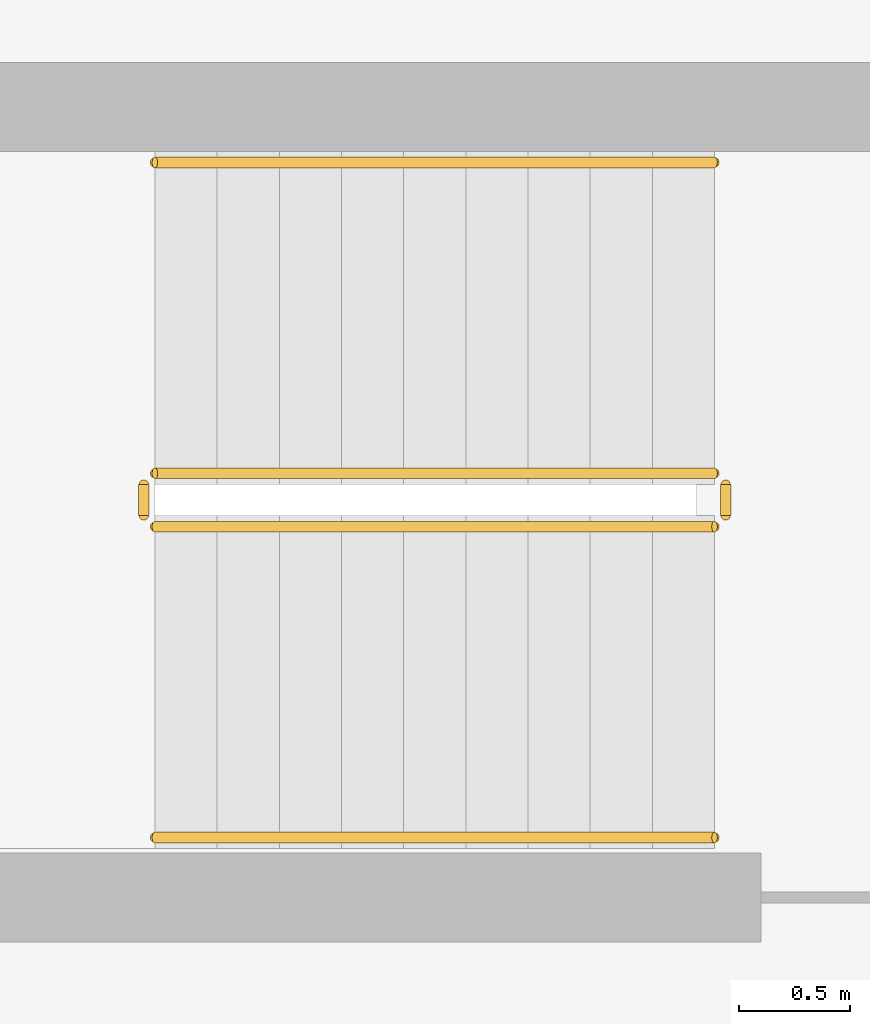
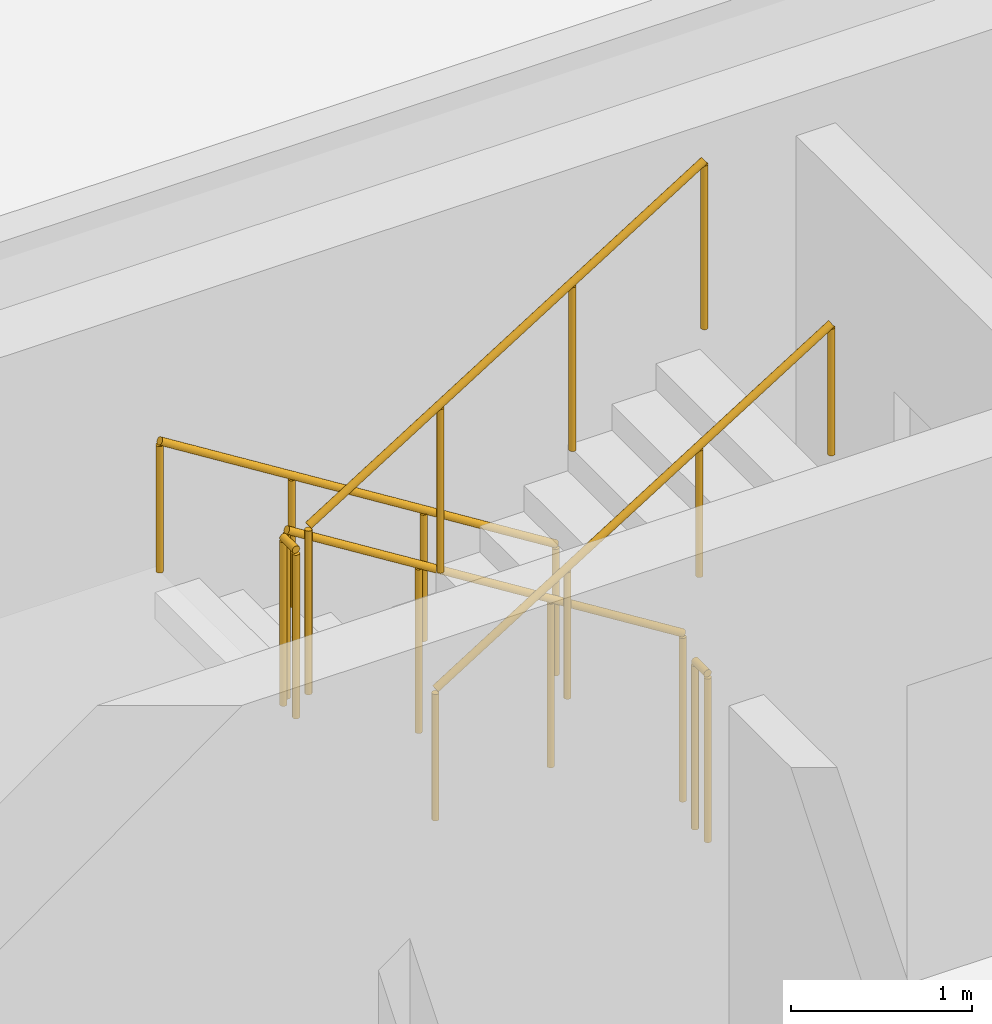
# One storey, part 24 of 26: 6 railings.
"""IFC4 building model written with IfcOpenShell, lengths in metres."""

import ifcopenshell
import ifcopenshell.guid

model = None  # the IFC model being written
_history = None  # IfcOwnerHistory: only IFC2X3 demands one
_inside = {}  # id of a spatial element -> (the spatial element, [elements in it])
_under = {}  # id of a project, library or spatial element -> (it, [spatial elements below it])
_declared = {}  # id of a project -> (the project, [libraries it declares])
_typed = {}  # id of a type object -> (the type object, [elements of that type])
_made_of = {}  # id of a material, layer set ... -> (it, [elements and type objects made of it])


def new_model(schema):
    """Start an empty IFC model of exactly this schema.

    Asked for "IFC4X3", IfcOpenShell would pick the latest addendum, in which some entities
    have other attributes; the version numbers below select the first issue.
    IFC2X3 requires an IfcOwnerHistory on every rooted entity: one is made here for all.
    """
    global model, _history
    if schema == "IFC4X3":
        model = ifcopenshell.file(schema_version=(4, 3, 0, 0))
    else:
        model = ifcopenshell.file(schema=schema)
    _inside.clear()
    _under.clear()
    _declared.clear()
    _typed.clear()
    _made_of.clear()
    _history = None
    if model.schema == "IFC2X3":
        org = make("IfcOrganization", Name="unknown")
        user = make(
            "IfcPersonAndOrganization",
            ThePerson=make("IfcPerson", FamilyName="unknown"),
            TheOrganization=org,
        )
        app = make(
            "IfcApplication",
            ApplicationDeveloper=org,
            Version="unknown",
            ApplicationFullName="unknown",
            ApplicationIdentifier="unknown",
        )
        _history = make(
            "IfcOwnerHistory",
            OwningUser=user,
            OwningApplication=app,
            ChangeAction="ADDED",
            CreationDate=0,
        )
    return model


def make(cls, **values):
    """One entity of the class cls with the attributes given. An attribute that is None is left unset."""
    return model.create_entity(
        cls, **{name: value for name, value in values.items() if value is not None}
    )


def rooted(cls, **values):
    """An entity with a GlobalId (a new one), such as an element, a storey or a relation."""
    return make(cls, GlobalId=ifcopenshell.guid.new(), OwnerHistory=_history, **values)


def si_unit(unit_type, name, prefix=None):
    """IfcSIUnit, for example si_unit("LENGTHUNIT", "METRE", prefix="MILLI")."""
    return make("IfcSIUnit", UnitType=unit_type, Prefix=prefix, Name=name)


def derived_unit(unit_type, elements):
    """IfcDerivedUnit: a product of units, each with its exponent."""
    return make(
        "IfcDerivedUnit",
        Elements=[
            make("IfcDerivedUnitElement", Unit=unit, Exponent=power)
            for unit, power in elements
        ],
        UnitType=unit_type,
    )


def assignment(units):
    """IfcUnitAssignment: the units of a project."""
    return None if units is None else make("IfcUnitAssignment", Units=units)


def point(xyz):
    """IfcCartesianPoint."""
    return None if xyz is None else make("IfcCartesianPoint", Coordinates=xyz)


def direction(xyz):
    """IfcDirection."""
    return None if xyz is None else make("IfcDirection", DirectionRatios=xyz)


def frame(location, z_axis=None, x_axis=None):
    """IfcAxis2Placement3D, a coordinate frame: its origin and axes. An axis left out is left unset."""
    return make(
        "IfcAxis2Placement3D",
        Location=point(location),
        Axis=direction(z_axis),
        RefDirection=direction(x_axis),
    )


def frame_2d(location, x_axis=None):
    """IfcAxis2Placement2D, a coordinate frame in the plane: its origin and x axis."""
    return make(
        "IfcAxis2Placement2D", Location=point(location), RefDirection=direction(x_axis)
    )


def origin():
    """The frame at (0, 0, 0) with its axes left unset."""
    return frame((0.0, 0.0, 0.0))


def origin_2d():
    """The frame at (0, 0) in the plane with its x axis left unset."""
    return frame_2d((0.0, 0.0))


def place(relative_to, where):
    """IfcLocalPlacement: puts the frame where relative to a parent placement (None: the world)."""
    return make(
        "IfcLocalPlacement", PlacementRelTo=relative_to, RelativePlacement=where
    )


def context(
    kind, dimensions, precision=None, world=None, true_north=None, identifier=None
):
    """IfcGeometricRepresentationContext, for example the 3D "Model" context."""
    return make(
        "IfcGeometricRepresentationContext",
        ContextIdentifier=identifier,
        ContextType=kind,
        CoordinateSpaceDimension=dimensions,
        Precision=precision,
        WorldCoordinateSystem=world,
        TrueNorth=true_north,
    )


def subcontext(parent, identifier, kind, view, scale=None):
    """IfcGeometricRepresentationSubContext, for example "Body" below "Model"."""
    return make(
        "IfcGeometricRepresentationSubContext",
        ContextIdentifier=identifier,
        ContextType=kind,
        ParentContext=parent,
        TargetScale=scale,
        TargetView=view,
    )


def project(units=None, contexts=None):
    """IfcProject with its units and contexts."""
    return rooted(
        "IfcProject",
        Name="project",
        RepresentationContexts=contexts,
        UnitsInContext=assignment(units),
    )


def spatial(cls, under=None, at=None, **own):
    """A site, building, storey or space (cls), placed at a placement, below another one or the project."""
    s = rooted(cls, ObjectPlacement=at, **own)
    if under is not None:
        _under.setdefault(under.id(), (under, []))[1].append(s)
    return s


def profile(cls, at=None, kind="AREA", **sizes):
    """A parametric profile (cls). Its sizes go by their IFC names, for example OverallWidth=200.0."""
    return make(cls, ProfileType=kind, Position=at, **sizes)


def circle(**sizes):
    """IfcCircleProfileDef."""
    return profile("IfcCircleProfileDef", **sizes)


def extrude(swept, where, along, depth):
    """IfcExtrudedAreaSolid: the profile swept, set in the frame where, extruded along a direction by depth."""
    return make(
        "IfcExtrudedAreaSolid",
        SweptArea=swept,
        Position=where,
        ExtrudedDirection=direction(along),
        Depth=depth,
    )


def shape(context_of_items, identifier, shape_type, items):
    """IfcShapeRepresentation: the items that make up one representation, for example the "Body"."""
    return make(
        "IfcShapeRepresentation",
        ContextOfItems=context_of_items,
        RepresentationIdentifier=identifier,
        RepresentationType=shape_type,
        Items=items,
    )


def material(Name=None, Category=None):
    """IfcMaterial."""
    return make("IfcMaterial", Name=Name, Category=Category)


def made_of(thing, what):
    """Note that an element or type object is made of a material, layer set ...; save() writes the relation."""
    if what is not None:
        _made_of.setdefault(what.id(), (what, []))[1].append(thing)
    return thing


def type_object(cls, material=None, **own):
    """A type object (cls), such as IfcWallType, which elements share."""
    return made_of(rooted(cls, **own), material)


def element(
    cls,
    number,
    at=None,
    inside=None,
    cuts=None,
    type_object=None,
    material=None,
    context=None,
    identifier="Body",
    shape_type=None,
    held_by="IfcProductDefinitionShape",
    body=None,
    shapes=None,
    **own,
):
    """One element of the class cls, such as IfcWall. Its Tag is "e" and its number.

    at: its placement. inside: the storey or other place that contains it. cuts: it is an
    opening in that element (IfcRelVoidsElement). A single representation is given by context,
    identifier, shape_type and body (its items); several are given by shapes. held_by: the class
    of the entity that holds the representations. save() writes the other relations.
    """
    e = rooted(cls, Tag="e%d" % number, ObjectPlacement=at, **own)
    if body is not None:
        shapes = [shape(context, identifier, shape_type, body)]
    if shapes is not None:
        e.Representation = make(held_by, Representations=shapes)
    if inside is not None:
        _inside.setdefault(inside.id(), (inside, []))[1].append(e)
    if cuts is not None:
        rooted(
            "IfcRelVoidsElement", RelatingBuildingElement=cuts, RelatedOpeningElement=e
        )
    if type_object is not None:
        _typed.setdefault(type_object.id(), (type_object, []))[1].append(e)
    return made_of(e, material)


def aggregate(whole, parts):
    """IfcRelAggregates: a whole, such as a stair, and the parts it consists of."""
    return rooted("IfcRelAggregates", RelatingObject=whole, RelatedObjects=parts)


def save(model, path):
    """Write the relations noted so far, then the file.

    IfcRelAggregates (storeys below a building ...), IfcRelContainedInSpatialStructure (elements
    in a storey), IfcRelDefinesByType, IfcRelAssociatesMaterial and IfcRelDeclares: one each for
    every whole, place, type object, material and project.
    """
    for whole, parts in _under.values():
        aggregate(whole, parts)
    for where, things in _inside.values():
        rooted(
            "IfcRelContainedInSpatialStructure",
            RelatedElements=things,
            RelatingStructure=where,
        )
    for kind, things in _typed.values():
        rooted("IfcRelDefinesByType", RelatedObjects=things, RelatingType=kind)
    for what, things in _made_of.values():
        rooted("IfcRelAssociatesMaterial", RelatedObjects=things, RelatingMaterial=what)
    for by, libraries in _declared.values():
        rooted("IfcRelDeclares", RelatingContext=by, RelatedDefinitions=libraries)
    model.write(path)


model = new_model("IFC4")

# Units and contexts
model_context = context("Model", 3, precision=1e-05, world=origin(), true_north=direction((0.0, 1.0)))
body_context = subcontext(model_context, "Body", "Model", "MODEL_VIEW")
ifc_project = project(units=[si_unit("LENGTHUNIT", "METRE"), si_unit("AREAUNIT", "SQUARE_METRE"), si_unit("VOLUMEUNIT", "CUBIC_METRE"), si_unit("PLANEANGLEUNIT", "RADIAN"), si_unit("MASSUNIT", "GRAM", prefix="KILO"), derived_unit("THERMALTRANSMITTANCEUNIT", [(si_unit("POWERUNIT", "WATT"), 1), (si_unit("LENGTHUNIT", "METRE"), -2), (si_unit("THERMODYNAMICTEMPERATUREUNIT", "KELVIN"), -1)])], contexts=[model_context])

# Site, building, storey
site_placement = place(None, origin())
site = spatial("IfcSite", under=ifc_project, at=site_placement, CompositionType="ELEMENT")
building_placement = place(site_placement, origin())
building = spatial("IfcBuilding", under=site, at=building_placement, Name="Kivonza Crest Hotel", CompositionType="ELEMENT")
storey_placement = place(building_placement, frame((0.0, 0.0, 105.5)))
storey = spatial("IfcBuildingStorey", under=building, at=storey_placement, Name="L28", CompositionType="ELEMENT", Elevation=105.5)

# Railings
ifc_material_1 = material(Name="Brushed stainless steel handrail", Category="steel")
railing_type_1 = type_object("IfcRailingType", Name="RL-HAND-900", PredefinedType="HANDRAIL", material=ifc_material_1)
railing_1_placement = place(storey_placement, frame((12.239990234375, 36.110107421875, 0.175048828125)))
element("IfcRailing", 1, at=railing_1_placement, inside=storey, type_object=railing_type_1, Name="L28 ST-T1-N stair handrail 1", PredefinedType="HANDRAIL", context=body_context, shape_type="SweptSolid", body=[
    extrude(circle(Radius=0.02392578125, at=origin_2d()), frame((0.0, 0.0, 0.8759765625), z_axis=(-0.848007534815, 0.0, 0.529984170421), x_axis=(0.0, -1.0, 0.0)), (0.0, 0.0, 1.0), 2.9716796875),
    extrude(circle(Radius=0.02099609375, at=origin_2d()), origin(), (0.0, 0.0, 1.0), 0.851806640625),
    extrude(circle(Radius=0.02099609375, at=origin_2d()), frame((-0.840087890625, 0.0, 0.52490234375)), (0.0, 0.0, 1.0), 0.851806640625),
    extrude(circle(Radius=0.02099609375, at=origin_2d()), frame((-1.679931640625, 0.0, 1.050048828125)), (0.0, 0.0, 1.0), 0.851806640625),
    extrude(circle(Radius=0.02099609375, at=origin_2d()), frame((-2.52001953125, 0.0, 1.574951171875)), (0.0, 0.0, 1.0), 0.851806640625),
])
railing_2_placement = place(storey_placement, frame((9.719970703125, 33.070068359375, 1.925048828125)))
element("IfcRailing", 2, at=railing_2_placement, inside=storey, type_object=railing_type_1, Name="L28 ST-T1-N stair handrail 2", PredefinedType="HANDRAIL", context=body_context, shape_type="SweptSolid", body=[
    extrude(circle(Radius=0.02392578125, at=origin_2d()), frame((0.0, 0.0, 0.8759765625), z_axis=(0.848007534815, 0.0, 0.529984170421), x_axis=(0.0, 1.0, 0.0)), (0.0, 0.0, 1.0), 2.9716796875),
    extrude(circle(Radius=0.02099609375, at=origin_2d()), origin(), (0.0, 0.0, 1.0), 0.851806640625),
    extrude(circle(Radius=0.02099609375, at=origin_2d()), frame((0.840087890625, 0.0, 0.52490234375)), (0.0, 0.0, 1.0), 0.851806640625),
    extrude(circle(Radius=0.02099609375, at=origin_2d()), frame((1.679931640625, 0.0, 1.050048828125)), (0.0, 0.0, 1.0), 0.851806640625),
    extrude(circle(Radius=0.02099609375, at=origin_2d()), frame((2.52001953125, 0.0, 1.574951171875)), (0.0, 0.0, 1.0), 0.851806640625),
])
ifc_material_2 = material(Name="Painted steel balustrade", Category="steel")
railing_type_2 = type_object("IfcRailingType", Name="RL-STAIR-1150", PredefinedType="BALUSTRADE", material=ifc_material_2)
railing_3_placement = place(storey_placement, frame((12.239990234375, 34.7099609375, 0.175048828125)))
element("IfcRailing", 3, at=railing_3_placement, inside=storey, type_object=railing_type_2, Name="L28 ST-T1-N stair guard 1", PredefinedType="BALUSTRADE", context=body_context, shape_type="SweptSolid", body=[
    extrude(circle(Radius=0.02392578125, at=origin_2d()), frame((0.0, 0.0, 1.1259765625), z_axis=(-0.848007534815, 0.0, 0.529984170421), x_axis=(0.0, -1.0, 0.0)), (0.0, 0.0, 1.0), 2.9716796875),
    extrude(circle(Radius=0.02099609375, at=origin_2d()), origin(), (0.0, 0.0, 1.0), 1.101806640625),
    extrude(circle(Radius=0.02099609375, at=origin_2d()), frame((-0.840087890625, 0.0, 0.52490234375)), (0.0, 0.0, 1.0), 1.101806640625),
    extrude(circle(Radius=0.02099609375, at=origin_2d()), frame((-1.679931640625, 0.0, 1.050048828125)), (0.0, 0.0, 1.0), 1.101806640625),
    extrude(circle(Radius=0.02099609375, at=origin_2d()), frame((-2.52001953125, 0.0, 1.574951171875)), (0.0, 0.0, 1.0), 1.101806640625),
])
railing_4_placement = place(storey_placement, frame((9.669921875, 34.659912109375, 1.75)))
element("IfcRailing", 4, at=railing_4_placement, inside=storey, type_object=railing_type_2, Name="L28 ST-T1-N stair guard 2", PredefinedType="BALUSTRADE", context=body_context, shape_type="SweptSolid", body=[
    extrude(circle(Radius=0.02392578125, at=origin_2d()), frame((0.0, 0.0, 1.1259765625), z_axis=(0.0, -1.0, 0.0), x_axis=(1.0, 0.0, 0.0)), (0.0, 0.0, 1.0), 0.139892578125),
    extrude(circle(Radius=0.02099609375, at=origin_2d()), origin(), (0.0, 0.0, 1.0), 1.101806640625),
    extrude(circle(Radius=0.02099609375, at=origin_2d()), frame((0.0, -0.139892578125, 0.0)), (0.0, 0.0, 1.0), 1.101806640625),
])
railing_5_placement = place(storey_placement, frame((9.719970703125, 34.469970703125, 1.925048828125)))
element("IfcRailing", 5, at=railing_5_placement, inside=storey, type_object=railing_type_2, Name="L28 ST-T1-N stair guard 3", PredefinedType="BALUSTRADE", context=body_context, shape_type="SweptSolid", body=[
    extrude(circle(Radius=0.02392578125, at=origin_2d()), frame((0.0, 0.0, 1.1259765625), z_axis=(0.848007534815, 0.0, 0.529984170421), x_axis=(0.0, 1.0, 0.0)), (0.0, 0.0, 1.0), 2.9716796875),
    extrude(circle(Radius=0.02099609375, at=origin_2d()), origin(), (0.0, 0.0, 1.0), 1.101806640625),
    extrude(circle(Radius=0.02099609375, at=origin_2d()), frame((0.840087890625, 0.0, 0.52490234375)), (0.0, 0.0, 1.0), 1.101806640625),
    extrude(circle(Radius=0.02099609375, at=origin_2d()), frame((1.679931640625, 0.0, 1.050048828125)), (0.0, 0.0, 1.0), 1.101806640625),
    extrude(circle(Radius=0.02099609375, at=origin_2d()), frame((2.52001953125, 0.0, 1.574951171875)), (0.0, 0.0, 1.0), 1.101806640625),
])
railing_6_placement = place(storey_placement, frame((12.2900390625, 34.659912109375, 0.0)))
element("IfcRailing", 6, at=railing_6_placement, inside=storey, type_object=railing_type_2, Name="L28 ST-T1-N stair guard 4", PredefinedType="BALUSTRADE", context=body_context, shape_type="SweptSolid", body=[
    extrude(circle(Radius=0.02392578125, at=origin_2d()), frame((0.0, 0.0, 1.1259765625), z_axis=(0.0, -1.0, 0.0), x_axis=(1.0, 0.0, 0.0)), (0.0, 0.0, 1.0), 0.139892578125),
    extrude(circle(Radius=0.02099609375, at=origin_2d()), origin(), (0.0, 0.0, 1.0), 1.101806640625),
    extrude(circle(Radius=0.02099609375, at=origin_2d()), frame((0.0, -0.139892578125, 0.0)), (0.0, 0.0, 1.0), 1.101806640625),
])

save(model, "model.ifc")
